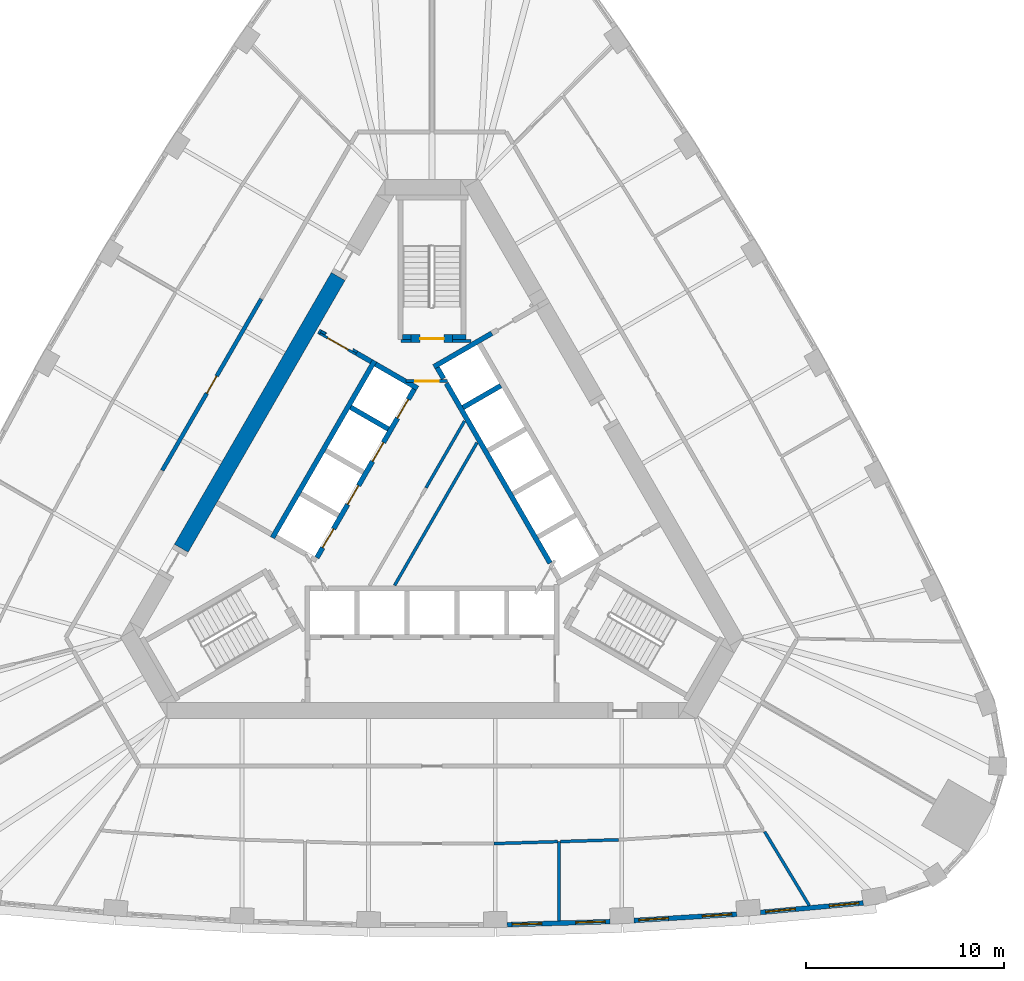
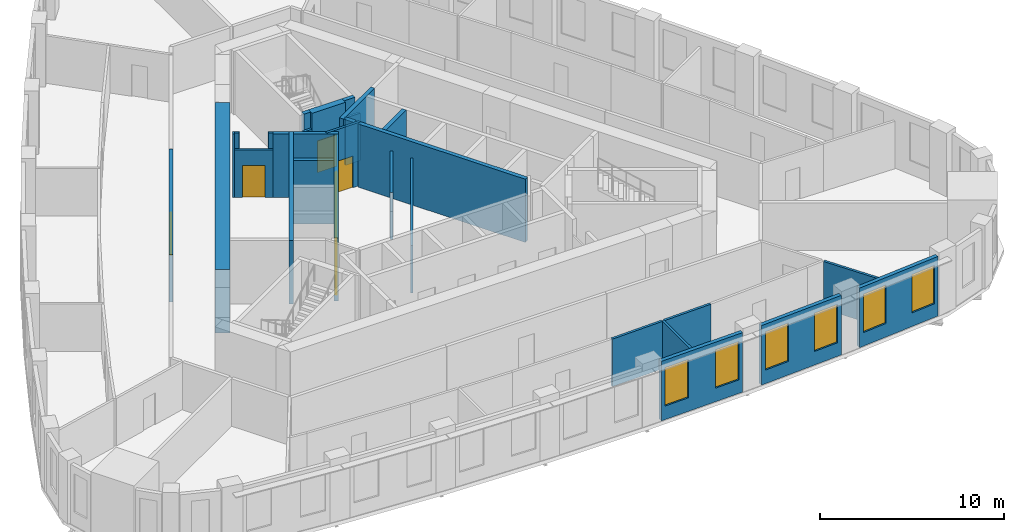
# One storey, part 5 of 10: 30 walls, 8 doors, 6 windows, 14 openings.
"""IFC4 building model written with IfcOpenShell, lengths in metres."""

from ifc_helpers import new_model, si_unit, direction, frame, frame_2d, origin, place, context, subcontext, project, spatial, polyline, rectangle, outline, extrude, material, layer, layer_set, type_object, element, fill, save


model = new_model("IFC4")

# Units and contexts
model_context = context("Model", 3, precision=1e-05, world=origin(), true_north=direction((0.0, 1.0)))
body_context = subcontext(model_context, "Body", "Model", "MODEL_VIEW")
ifc_project = project(units=[si_unit("LENGTHUNIT", "METRE"), si_unit("AREAUNIT", "SQUARE_METRE"), si_unit("VOLUMEUNIT", "CUBIC_METRE"), si_unit("PLANEANGLEUNIT", "RADIAN"), si_unit("MASSUNIT", "GRAM", prefix="KILO")], contexts=[model_context])

# Site, building, storey
site_placement = place(None, origin())
site = spatial("IfcSite", under=ifc_project, at=site_placement, CompositionType="ELEMENT")
building_placement = place(site_placement, origin())
building = spatial("IfcBuilding", under=site, at=building_placement, Name="Mestral Congress Tower", CompositionType="ELEMENT")
storey_placement = place(building_placement, frame((0.0, 0.0, 141.60009765625)))
storey = spatial("IfcBuildingStorey", under=building, at=storey_placement, Name="L33", CompositionType="ELEMENT", Elevation=141.60009765625)

# Walls
ifc_material_1 = material(Name="Fire-rated board partition")
ifc_layer_1 = layer(ifc_material_1, 0.14990234375)
ifc_layer_set_1 = layer_set([ifc_layer_1], Name="Fire-rated board partition")
wall_type_1 = type_object("IfcWallType", Name="Core partition 150", PredefinedType="PARTITIONING", material=ifc_layer_set_1)
wall_1_placement = place(storey_placement, frame((1.050048828125, 8.62548828125, 0.0), z_axis=(0.0, 0.0, 1.0), x_axis=(1.0, 0.0, 0.0)))
element("IfcWall", 1, at=wall_1_placement, inside=storey, type_object=wall_type_1, Name="L33 core wall", PredefinedType="PARTITIONING", context=body_context, shape_type="SweptSolid", body=[
    extrude(rectangle(XDim=0.9287109375, YDim=0.14990234375, at=frame_2d((0.46435546875, 0.0))), origin(), (0.0, 0.0, 1.0), 3.14990234375),
])
wall_2_placement = place(storey_placement, frame((-1.56396484375, 8.62548828125, 0.0), z_axis=(0.0, 0.0, 1.0), x_axis=(1.0, 0.0, 0.0)))
element("IfcWall", 2, at=wall_2_placement, inside=storey, type_object=wall_type_1, Name="L33 core wall", PredefinedType="PARTITIONING", context=body_context, shape_type="SweptSolid", body=[
    extrude(rectangle(XDim=0.513916015625, YDim=0.14990234375, at=frame_2d((0.2568359375, 0.0))), origin(), (0.0, 0.0, 1.0), 3.14990234375),
])
wall_3_placement = place(storey_placement, frame((-1.886962890625, -3.71826171875, 0.0), z_axis=(0.0, 0.0, 1.0), x_axis=(0.500005008002, 0.866022512394, 0.0)))
element("IfcWall", 3, at=wall_3_placement, inside=storey, type_object=wall_type_1, Name="L33 core wall", PredefinedType="PARTITIONING", context=body_context, shape_type="SweptSolid", body=[
    extrude(rectangle(XDim=8.3271484375, YDim=0.14990234375, at=frame_2d((4.16357421875, 0.0))), origin(), (0.0, 0.0, 1.0), 3.14990234375),
])
wall_4_placement = place(storey_placement, frame((-0.2998046875, 1.21240234375, 0.0), z_axis=(0.0, 0.0, 1.0), x_axis=(0.499963101113, 0.866046706318, 0.0)))
element("IfcWall", 4, at=wall_4_placement, inside=storey, type_object=wall_type_1, Name="L33 core wall", PredefinedType="PARTITIONING", context=body_context, shape_type="SweptSolid", body=[
    extrude(rectangle(XDim=3.893310546875, YDim=0.14990234375, at=frame_2d((1.94677734375, 0.0))), origin(), (0.0, 0.0, 1.0), 3.14990234375),
])

# Wall, opening, door
ifc_layer_2 = layer(ifc_material_1, 0.1201171875)
ifc_layer_set_2 = layer_set([ifc_layer_2], Name="Fire-rated board partition")
wall_type_2 = type_object("IfcWallType", Name="Core partition 150 door-wall 120", PredefinedType="PARTITIONING", material=ifc_layer_set_2)
wall_5_placement = place(storey_placement, frame((-5.65869140625, 9.01171875, 0.0), z_axis=(0.0, 0.0, 1.0), x_axis=(0.866009402589, -0.500027713859, 0.0)))
wall_5 = element("IfcWall", 5, at=wall_5_placement, inside=storey, type_object=wall_type_2, Name="L33 door wall", PredefinedType="PARTITIONING", context=body_context, shape_type="SweptSolid", body=[
    extrude(rectangle(XDim=2.10009765625, YDim=0.1201171875, at=frame_2d((1.050048828125, 0.0))), origin(), (0.0, 0.0, 1.0), 3.14990234375),
])
opening_1_placement = place(wall_5_placement, frame((0.449951171875, 0.0, 0.0)))
opening_1 = element("IfcOpeningElement", 6, at=opening_1_placement, cuts=wall_5, Name="Opening LB2-WL2", PredefinedType="OPENING", context=body_context, shape_type="SweptSolid", body=[
    extrude(rectangle(XDim=1.199951171875, YDim=2.10009765625, at=frame_2d((0.60009765625, 1.050048828125))), frame((0.0, 0.070068359375, 0.0), z_axis=(0.0, -1.0, 0.0), x_axis=(1.0, 0.0, 0.0)), (0.0, 0.0, 1.0), 0.14013671875),
])
ifc_material_2 = material(Name="Fire-rated steel door set", Category="steel")
door_type_1 = type_object("IfcDoorType", Name="Core door LB 1200x2100", OperationType="SINGLE_SWING_LEFT", PredefinedType="DOOR", material=ifc_material_2)
door_1_placement = place(opening_1_placement, origin())
door_1 = element("IfcDoor", 7, at=door_1_placement, inside=storey, type_object=door_type_1, Name="Door LB2-WL2", OperationType="SINGLE_SWING_LEFT", OverallHeight=2.10009765625, OverallWidth=1.199951171875, PredefinedType="DOOR", context=body_context, shape_type="SweptSolid", body=[
    extrude(rectangle(XDim=1.199951171875, YDim=2.10009765625, at=frame_2d((0.60009765625, 1.050048828125))), frame((0.0, 0.02490234375, 0.0), z_axis=(0.0, -1.0, 0.0), x_axis=(1.0, 0.0, 0.0)), (0.0, 0.0, 1.0), 0.050048828125),
])
fill(opening_1, door_1)

# Wall
ifc_material_3 = material(Name="Concrete C60/75", Category="concrete")
ifc_layer_3 = layer(ifc_material_3, 0.800048828125)
ifc_layer_set_3 = layer_set([ifc_layer_3], Name="Concrete C60/75")
wall_type_3 = type_object("IfcWallType", Name="Core wall RC 800", PredefinedType="SOLIDWALL", material=ifc_layer_set_3)
wall_6_placement = place(storey_placement, frame((-12.668212890625, -1.841796875, 0.0), z_axis=(0.0, 0.0, 1.0), x_axis=(0.500003640647, 0.866023301845, 0.0)))
element("IfcWall", 8, at=wall_6_placement, inside=storey, type_object=wall_type_3, Name="L33 core wall", PredefinedType="SOLIDWALL", context=body_context, shape_type="SweptSolid", body=[
    extrude(rectangle(XDim=15.8583984375, YDim=0.800048828125, at=frame_2d((7.92919921875, 0.0))), origin(), (0.0, 0.0, 1.0), 4.199951171875),
])

# Wall, openings, windows
ifc_material_4 = material(Name="Precast concrete C40/50 with limestone facing", Category="masonry")
ifc_layer_4 = layer(ifc_material_4, 0.239990234375)
ifc_layer_set_4 = layer_set([ifc_layer_4], Name="Precast concrete C40/50 with limestone facing")
wall_type_4 = type_object("IfcWallType", Name="Facade stone wall 240", PredefinedType="SOLIDWALL", material=ifc_layer_set_4)
wall_7_placement = place(storey_placement, frame((3.80615234375, -20.869873046875, 0.0), z_axis=(0.0, 0.0, 1.0), x_axis=(0.999533441983, 0.030543384845, 0.0)))
wall_7 = element("IfcWall", 9, at=wall_7_placement, inside=storey, type_object=wall_type_4, Name="Facade wall F0-04", PredefinedType="SOLIDWALL", context=body_context, shape_type="SweptSolid", body=[
    extrude(rectangle(XDim=5.20361328125, YDim=0.239990234375, at=frame_2d((2.601806640625, 0.0))), origin(), (0.0, 0.0, 1.0), 3.949951171875),
])
opening_2_placement = place(wall_7_placement, frame((0.248291015625, 0.0, 0.89990234375)))
opening_2 = element("IfcOpeningElement", 10, at=opening_2_placement, cuts=wall_7, Name="Opening W4", PredefinedType="OPENING", context=body_context, shape_type="SweptSolid", body=[
    extrude(rectangle(XDim=1.5, YDim=2.550048828125, at=frame_2d((0.75, 1.27490234375))), frame((0.0, 0.1298828125, 0.0), z_axis=(0.0, -1.0, 0.0), x_axis=(1.0, 0.0, 0.0)), (0.0, 0.0, 1.0), 0.260009765625),
])
opening_3_placement = place(wall_7_placement, frame((3.455078125, 0.0, 0.89990234375)))
opening_3 = element("IfcOpeningElement", 11, at=opening_3_placement, cuts=wall_7, Name="Opening W4", PredefinedType="OPENING", context=body_context, shape_type="SweptSolid", body=[
    extrude(rectangle(XDim=1.5, YDim=2.550048828125, at=frame_2d((0.75, 1.27490234375))), frame((0.0, 0.1298828125, 0.0), z_axis=(0.0, -1.0, 0.0), x_axis=(1.0, 0.0, 0.0)), (0.0, 0.0, 1.0), 0.260009765625),
])
ifc_material_5 = material(Name="Clear low-emissivity double glazing", Category="glass")
window_type = type_object("IfcWindowType", Name="Facade punched window 1500 x 2550 sill 900", PartitioningType="SINGLE_PANEL", PredefinedType="WINDOW", material=ifc_material_5)
window_1_placement = place(opening_2_placement, origin())
window_1 = element("IfcWindow", 12, at=window_1_placement, inside=storey, type_object=window_type, Name="Window F0-04a", OverallHeight=2.550048828125, OverallWidth=1.5, PartitioningType="SINGLE_PANEL", PredefinedType="WINDOW", context=body_context, shape_type="SweptSolid", body=[
    extrude(rectangle(XDim=1.5, YDim=2.550048828125, at=frame_2d((0.75, 1.27490234375))), frame((0.0, 0.0400390625, 0.0), z_axis=(0.0, -1.0, 0.0), x_axis=(1.0, 0.0, 0.0)), (0.0, 0.0, 1.0), 0.06005859375),
])
fill(opening_2, window_1)
window_2_placement = place(opening_3_placement, origin())
window_2 = element("IfcWindow", 13, at=window_2_placement, inside=storey, type_object=window_type, Name="Window F0-04b", OverallHeight=2.550048828125, OverallWidth=1.5, PartitioningType="SINGLE_PANEL", PredefinedType="WINDOW", context=body_context, shape_type="SweptSolid", body=[
    extrude(rectangle(XDim=1.5, YDim=2.550048828125, at=frame_2d((0.75, 1.27490234375))), frame((0.0, 0.0400390625, 0.0), z_axis=(0.0, -1.0, 0.0), x_axis=(1.0, 0.0, 0.0)), (0.0, 0.0, 1.0), 0.06005859375),
])
fill(opening_3, window_2)

wall_8_placement = place(storey_placement, frame((10.210693359375, -20.656005859375, 0.0), z_axis=(0.0, 0.0, 1.0), x_axis=(0.998135294646, 0.061040425794, 0.0)))
wall_8 = element("IfcWall", 14, at=wall_8_placement, inside=storey, type_object=wall_type_4, Name="Facade wall F0-05", PredefinedType="SOLIDWALL", context=body_context, shape_type="SweptSolid", body=[
    extrude(rectangle(XDim=5.20361328125, YDim=0.239990234375, at=frame_2d((2.601806640625, 0.0))), origin(), (0.0, 0.0, 1.0), 3.949951171875),
])
opening_4_placement = place(wall_8_placement, frame((0.248291015625, 0.0, 0.89990234375)))
opening_4 = element("IfcOpeningElement", 15, at=opening_4_placement, cuts=wall_8, Name="Opening W4", PredefinedType="OPENING", context=body_context, shape_type="SweptSolid", body=[
    extrude(rectangle(XDim=1.5, YDim=2.550048828125, at=frame_2d((0.75, 1.27490234375))), frame((0.0, 0.1298828125, 0.0), z_axis=(0.0, -1.0, 0.0), x_axis=(1.0, 0.0, 0.0)), (0.0, 0.0, 1.0), 0.260009765625),
])
opening_5_placement = place(wall_8_placement, frame((3.455078125, 0.0, 0.89990234375)))
opening_5 = element("IfcOpeningElement", 16, at=opening_5_placement, cuts=wall_8, Name="Opening W4", PredefinedType="OPENING", context=body_context, shape_type="SweptSolid", body=[
    extrude(rectangle(XDim=1.5, YDim=2.550048828125, at=frame_2d((0.75, 1.27490234375))), frame((0.0, 0.1298828125, 0.0), z_axis=(0.0, -1.0, 0.0), x_axis=(1.0, 0.0, 0.0)), (0.0, 0.0, 1.0), 0.260009765625),
])
window_3_placement = place(opening_4_placement, origin())
window_3 = element("IfcWindow", 17, at=window_3_placement, inside=storey, type_object=window_type, Name="Window F0-05a", OverallHeight=2.550048828125, OverallWidth=1.5, PartitioningType="SINGLE_PANEL", PredefinedType="WINDOW", context=body_context, shape_type="SweptSolid", body=[
    extrude(rectangle(XDim=1.5, YDim=2.550048828125, at=frame_2d((0.75, 1.27490234375))), frame((0.0, 0.0400390625, 0.0), z_axis=(0.0, -1.0, 0.0), x_axis=(1.0, 0.0, 0.0)), (0.0, 0.0, 1.0), 0.06005859375),
])
fill(opening_4, window_3)
window_4_placement = place(opening_5_placement, origin())
window_4 = element("IfcWindow", 18, at=window_4_placement, inside=storey, type_object=window_type, Name="Window F0-05b", OverallHeight=2.550048828125, OverallWidth=1.5, PartitioningType="SINGLE_PANEL", PredefinedType="WINDOW", context=body_context, shape_type="SweptSolid", body=[
    extrude(rectangle(XDim=1.5, YDim=2.550048828125, at=frame_2d((0.75, 1.27490234375))), frame((0.0, 0.0400390625, 0.0), z_axis=(0.0, -1.0, 0.0), x_axis=(1.0, 0.0, 0.0)), (0.0, 0.0, 1.0), 0.06005859375),
])
fill(opening_5, window_4)

wall_9_placement = place(storey_placement, frame((16.605712890625, -20.24658203125, 0.0), z_axis=(0.0, 0.0, 1.0), x_axis=(0.995808712151, 0.091460422067, 0.0)))
wall_9 = element("IfcWall", 19, at=wall_9_placement, inside=storey, type_object=wall_type_4, Name="Facade wall F0-06", PredefinedType="SOLIDWALL", context=body_context, shape_type="SweptSolid", body=[
    extrude(rectangle(XDim=5.213134765625, YDim=0.239990234375, at=frame_2d((2.6064453125, 0.0))), origin(), (0.0, 0.0, 1.0), 3.949951171875),
])
opening_6_placement = place(wall_9_placement, frame((0.2607421875, 0.0, 0.89990234375)))
opening_6 = element("IfcOpeningElement", 20, at=opening_6_placement, cuts=wall_9, Name="Opening W4", PredefinedType="OPENING", context=body_context, shape_type="SweptSolid", body=[
    extrude(rectangle(XDim=1.5, YDim=2.550048828125, at=frame_2d((0.75, 1.27490234375))), frame((0.0, 0.1298828125, 0.0), z_axis=(0.0, -1.0, 0.0), x_axis=(1.0, 0.0, 0.0)), (0.0, 0.0, 1.0), 0.260009765625),
])
opening_7_placement = place(wall_9_placement, frame((3.492431640625, 0.0, 0.89990234375)))
opening_7 = element("IfcOpeningElement", 21, at=opening_7_placement, cuts=wall_9, Name="Opening W4", PredefinedType="OPENING", context=body_context, shape_type="SweptSolid", body=[
    extrude(rectangle(XDim=1.5, YDim=2.550048828125, at=frame_2d((0.75, 1.27490234375))), frame((0.0, 0.1298828125, 0.0), z_axis=(0.0, -1.0, 0.0), x_axis=(1.0, 0.0, 0.0)), (0.0, 0.0, 1.0), 0.260009765625),
])
window_5_placement = place(opening_6_placement, origin())
window_5 = element("IfcWindow", 22, at=window_5_placement, inside=storey, type_object=window_type, Name="Window F0-06a", OverallHeight=2.550048828125, OverallWidth=1.5, PartitioningType="SINGLE_PANEL", PredefinedType="WINDOW", context=body_context, shape_type="SweptSolid", body=[
    extrude(rectangle(XDim=1.5, YDim=2.550048828125, at=frame_2d((0.75, 1.27490234375))), frame((0.0, 0.0400390625, 0.0), z_axis=(0.0, -1.0, 0.0), x_axis=(1.0, 0.0, 0.0)), (0.0, 0.0, 1.0), 0.06005859375),
])
fill(opening_6, window_5)
window_6_placement = place(opening_7_placement, origin())
window_6 = element("IfcWindow", 23, at=window_6_placement, inside=storey, type_object=window_type, Name="Window F0-06b", OverallHeight=2.550048828125, OverallWidth=1.5, PartitioningType="SINGLE_PANEL", PredefinedType="WINDOW", context=body_context, shape_type="SweptSolid", body=[
    extrude(rectangle(XDim=1.5, YDim=2.550048828125, at=frame_2d((0.75, 1.27490234375))), frame((0.0, 0.0400390625, 0.0), z_axis=(0.0, -1.0, 0.0), x_axis=(1.0, 0.0, 0.0)), (0.0, 0.0, 1.0), 0.06005859375),
])
fill(opening_7, window_6)

# Walls
ifc_material_6 = material(Name="Plasterboard partition on steel studs", Category="steel")
ifc_layer_5 = layer(ifc_material_6, 0.14990234375)
ifc_layer_set_5 = layer_set([ifc_layer_5], Name="Plasterboard partition on steel studs")
wall_type_5 = type_object("IfcWallType", Name="Office partition 150", PredefinedType="PARTITIONING", material=ifc_layer_set_5)
wall_10_placement = place(storey_placement, frame((6.412109375, -16.668212890625, 0.0), z_axis=(0.0, 0.0, 1.0), x_axis=(0.0, -1.0, 0.0)))
element("IfcWall", 24, at=wall_10_placement, inside=storey, type_object=wall_type_5, Name="Partition", PredefinedType="PARTITIONING", context=body_context, shape_type="SweptSolid", body=[
    extrude(rectangle(XDim=4.001953125, YDim=0.14990234375, at=frame_2d((2.0009765625, 0.0))), origin(), (0.0, 0.0, 1.0), 3.14990234375),
])
wall_11_placement = place(storey_placement, frame((3.141357421875, -16.768310546875, 0.0), z_axis=(0.0, 0.0, 1.0), x_axis=(0.999533369646, 0.030545751995, 0.0)))
element("IfcWall", 25, at=wall_11_placement, inside=storey, type_object=wall_type_5, Name="Partition", PredefinedType="PARTITIONING", context=body_context, shape_type="SweptSolid", body=[
    extrude(rectangle(XDim=3.197021484375, YDim=0.14990234375, at=frame_2d((1.5986328125, 0.0))), origin(), (0.0, 0.0, 1.0), 3.14990234375),
])
wall_12_placement = place(storey_placement, frame((6.487060546875, -16.666015625, 0.0), z_axis=(0.0, 0.0, 1.0), x_axis=(0.999533978083, 0.030525835896, 0.0)))
element("IfcWall", 26, at=wall_12_placement, inside=storey, type_object=wall_type_5, Name="Partition", PredefinedType="PARTITIONING", context=body_context, shape_type="SweptSolid", body=[
    extrude(rectangle(XDim=2.935302734375, YDim=0.14990234375, at=frame_2d((1.4677734375, 0.0))), origin(), (0.0, 0.0, 1.0), 3.14990234375),
])
wall_13_placement = place(storey_placement, frame((16.81591796875, -16.165283203125, 0.0), z_axis=(0.0, 0.0, 1.0), x_axis=(0.516814925326, -0.85609715159, 0.0)))
element("IfcWall", 27, at=wall_13_placement, inside=storey, type_object=wall_type_5, Name="Partition", PredefinedType="PARTITIONING", context=body_context, shape_type="SweptSolid", body=[
    extrude(rectangle(XDim=4.362060546875, YDim=0.14990234375, at=frame_2d((2.18115234375, 0.0))), origin(), (0.0, 0.0, 1.0), 3.14990234375),
])

# Wall, opening, door
ifc_material_7 = material(Name="Dense masonry wall, plastered", Category="masonry")
ifc_layer_6 = layer(ifc_material_7, 0.199951171875)
ifc_layer_set_6 = layer_set([ifc_layer_6], Name="Dense masonry wall, plastered")
wall_type_6 = type_object("IfcWallType", Name="Office tenancy wall 200", PredefinedType="PARTITIONING", material=ifc_layer_set_6)
wall_14_placement = place(storey_placement, frame((-8.62841796875, 10.755126953125, 0.0), z_axis=(0.0, 0.0, 1.0), x_axis=(-0.500004234368, -0.866022959057, 0.0)))
wall_14 = element("IfcWall", 28, at=wall_14_placement, inside=storey, type_object=wall_type_6, Name="Tenancy wall", PredefinedType="PARTITIONING", context=body_context, shape_type="SweptSolid", body=[
    extrude(rectangle(XDim=10.0, YDim=0.199951171875, at=frame_2d((5.0, 0.0))), origin(), (0.0, 0.0, 1.0), 3.14990234375),
])
opening_8_placement = place(wall_14_placement, frame((4.5, 0.0, 0.0)))
opening_8 = element("IfcOpeningElement", 29, at=opening_8_placement, cuts=wall_14, Name="Opening O01-017", PredefinedType="OPENING", context=body_context, shape_type="SweptSolid", body=[
    extrude(rectangle(XDim=1.0, YDim=2.10009765625, at=frame_2d((0.5, 1.050048828125))), frame((0.0, 0.10986328125, 0.0), z_axis=(0.0, -1.0, 0.0), x_axis=(1.0, 0.0, 0.0)), (0.0, 0.0, 1.0), 0.219970703125),
])
ifc_material_8 = material(Name="Fire-rated timber door set", Category="wood")
door_type_2 = type_object("IfcDoorType", Name="Office tenancy entrance door 1000x2100", OperationType="SINGLE_SWING_LEFT", PredefinedType="DOOR", material=ifc_material_8)
door_2_placement = place(opening_8_placement, origin())
door_2 = element("IfcDoor", 30, at=door_2_placement, inside=storey, type_object=door_type_2, Name="Door O01-017", OperationType="SINGLE_SWING_LEFT", OverallHeight=2.10009765625, OverallWidth=1.0, PredefinedType="DOOR", context=body_context, shape_type="SweptSolid", body=[
    extrude(rectangle(XDim=1.0, YDim=2.10009765625, at=frame_2d((0.5, 1.050048828125))), frame((0.0, 0.02490234375, 0.0), z_axis=(0.0, -1.0, 0.0), x_axis=(1.0, 0.0, 0.0)), (0.0, 0.0, 1.0), 0.050048828125),
])
fill(opening_8, door_2)

# Walls
ifc_layer_7 = layer(ifc_material_3, 0.25)
ifc_layer_set_7 = layer_set([ifc_layer_7], Name="Concrete C60/75")
wall_type_7 = type_object("IfcWallType", Name="Shaft wall RC 250", PredefinedType="SOLIDWALL", material=ifc_layer_set_7)
wall_15_placement = place(storey_placement, frame((3.02783203125, 9.022705078125, 0.0), z_axis=(0.0, 0.0, 1.0), x_axis=(-0.866036587186, -0.49998062928, 0.0)))
element("IfcWall", 31, at=wall_15_placement, inside=storey, type_object=wall_type_7, Name="L33 core wall", PredefinedType="SOLIDWALL", context=body_context, shape_type="SweptSolid", body=[
    extrude(rectangle(XDim=3.383544921875, YDim=0.25, at=frame_2d((1.69189453125, 0.0))), origin(), (0.0, 0.0, 1.0), 4.199951171875),
])
wall_16_placement = place(storey_placement, frame((0.268310546875, 7.28515625, 0.0), z_axis=(0.0, 0.0, 1.0), x_axis=(0.500098681536, -0.865968422476, 0.0)))
element("IfcWall", 32, at=wall_16_placement, inside=storey, type_object=wall_type_7, Name="L33 core wall", PredefinedType="SOLIDWALL", context=body_context, shape_type="SweptSolid", body=[
    extrude(rectangle(XDim=0.636474609375, YDim=0.25, at=frame_2d((0.318359375, 0.0))), origin(), (0.0, 0.0, 1.0), 4.199951171875),
])
wall_17_placement = place(storey_placement, frame((5.970458984375, -2.591064453125, 0.0), z_axis=(0.0, 0.0, 1.0), x_axis=(-0.499994469932, 0.866028596547, 0.0)))
element("IfcWall", 33, at=wall_17_placement, inside=storey, type_object=wall_type_7, Name="L33 core wall", PredefinedType="SOLIDWALL", context=body_context, shape_type="SweptSolid", body=[
    extrude(rectangle(XDim=10.48828125, YDim=0.25, at=frame_2d((5.244140625, 0.0))), origin(), (0.0, 0.0, 1.0), 4.199951171875),
])
wall_18_placement = place(storey_placement, frame((1.57421875, 5.273681640625, 0.0), z_axis=(0.0, 0.0, 1.0), x_axis=(0.866028486751, 0.499994660107, 0.0)))
element("IfcWall", 34, at=wall_18_placement, inside=storey, type_object=wall_type_7, Name="L33 core wall", PredefinedType="SOLIDWALL", context=body_context, shape_type="SweptSolid", body=[
    extrude(rectangle(XDim=2.19970703125, YDim=0.25, at=frame_2d((1.099853515625, 0.0))), origin(), (0.0, 0.0, 1.0), 4.199951171875),
])
wall_19_placement = place(storey_placement, frame((-8.06005859375, -1.310546875, 0.0), z_axis=(0.0, 0.0, 1.0), x_axis=(0.50000273126, 0.866023826885, 0.0)))
element("IfcWall", 35, at=wall_19_placement, inside=storey, type_object=wall_type_7, Name="L33 core wall", PredefinedType="SOLIDWALL", context=body_context, shape_type="SweptSolid", body=[
    extrude(rectangle(XDim=10.330078125, YDim=0.25, at=frame_2d((5.1650390625, 0.0))), origin(), (0.0, 0.0, 1.0), 4.199951171875),
])
placement = place(storey_placement, origin())
element("IfcWall", 36, at=placement, inside=storey, type_object=wall_type_7, Name="L33 core wall", PredefinedType="SOLIDWALL", context=body_context, shape_type="SweptSolid", body=[
    extrude(outline(polyline([(-2.911865234375, 7.3564453125), (-2.786865234375, 7.572998046875), (-1.231689453125, 6.675048828125), (-1.303466796875, 6.675048828125), (-1.3037109375, 6.675048828125), (-1.3037109375, 6.675048828125), (-1.3037109375, 6.52490234375), (-1.3037109375, 6.52490234375), (-1.303466796875, 6.52490234375), (-0.971435546875, 6.52490234375), (-0.6650390625, 6.347900390625), (-0.7900390625, 6.131591796875), (-1.006591796875, 6.256591796875), (-1.006591796875, 6.256591796875), (-2.911865234375, 7.3564453125)])), origin(), (0.0, 0.0, 1.0), 4.199951171875),
])
wall_21_placement = place(storey_placement, frame((-2.2041015625, 4.182373046875, 0.0), z_axis=(0.0, 0.0, 1.0), x_axis=(-0.866008176907, 0.50002983664, 0.0)))
element("IfcWall", 37, at=wall_21_placement, inside=storey, type_object=wall_type_7, Name="L33 core wall", PredefinedType="SOLIDWALL", context=body_context, shape_type="SweptSolid", body=[
    extrude(rectangle(XDim=2.199951171875, YDim=0.25, at=frame_2d((1.10009765625, 0.0))), origin(), (0.0, 0.0, 1.0), 4.199951171875),
])
wall_22_placement = place(storey_placement, frame((-5.724609375, 9.124755859375, 0.0), z_axis=(0.0, 0.0, 1.0), x_axis=(0.866185586049, -0.49972245349, 0.0)))
element("IfcWall", 38, at=wall_22_placement, inside=storey, type_object=wall_type_7, Name="L33 core wall", PredefinedType="SOLIDWALL", context=body_context, shape_type="SweptSolid", body=[
    extrude(rectangle(XDim=0.10986328125, YDim=0.25, at=frame_2d((0.054931640625, 0.0))), origin(), (0.0, 0.0, 1.0), 4.199951171875),
])
wall_23_placement = place(storey_placement, frame((-3.06591796875, 7.58984375, 0.0), z_axis=(0.0, 0.0, 1.0), x_axis=(-0.866081358704, 0.49990307071, 0.0)))
element("IfcWall", 39, at=wall_23_placement, inside=storey, type_object=wall_type_7, Name="L33 core wall", PredefinedType="SOLIDWALL", context=body_context, shape_type="SweptSolid", body=[
    extrude(rectangle(XDim=0.858154296875, YDim=0.25, at=frame_2d((0.42919921875, 0.0))), origin(), (0.0, 0.0, 1.0), 4.199951171875),
])
element("IfcWall", 40, at=placement, inside=storey, type_object=wall_type_7, Name="L33 core wall", PredefinedType="SOLIDWALL", context=body_context, shape_type="SweptSolid", body=[
    extrude(outline(polyline([(-3.748291015625, 8.1279296875), (-3.813232421875, 8.015380859375), (-4.026611328125, 8.138671875), (-4.0166015625, 8.156005859375), (-4.007568359375, 8.17333984375), (-4.000244140625, 8.191650390625), (-3.994873046875, 8.21044921875), (-3.991455078125, 8.229736328125), (-3.98974609375, 8.24951171875), (-3.989990234375, 8.267578125), (-3.748291015625, 8.1279296875)])), origin(), (0.0, 0.0, 1.0), 4.199951171875),
])
element("IfcWall", 41, at=placement, inside=storey, type_object=wall_type_7, Name="L33 core wall", PredefinedType="SOLIDWALL", context=body_context, shape_type="SweptSolid", body=[
    extrude(outline(polyline([(-5.688720703125, 8.959716796875), (-5.690185546875, 8.960693359375), (-5.565185546875, 9.177001953125), (-5.318603515625, 9.03466796875), (-5.334716796875, 9.02587890625), (-5.3505859375, 9.0146484375), (-5.36572265625, 9.001953125), (-5.37939453125, 8.98779296875), (-5.3916015625, 8.972412109375), (-5.402099609375, 8.955810546875), (-5.412109375, 8.938720703125), (-5.628662109375, 9.063720703125), (-5.628662109375, 9.063720703125), (-5.688720703125, 8.959716796875)])), origin(), (0.0, 0.0, 1.0), 4.199951171875),
])

# Wall, openings, doors
wall_26_placement = place(storey_placement, frame((-0.898193359375, 6.194091796875, 0.0), z_axis=(0.0, 0.0, 1.0), x_axis=(-0.499996202215, -0.866027596426, 0.0)))
wall_26 = element("IfcWall", 42, at=wall_26_placement, inside=storey, type_object=wall_type_7, Name="L33 door wall", PredefinedType="SOLIDWALL", context=body_context, shape_type="SweptSolid", body=[
    extrude(rectangle(XDim=9.830078125, YDim=0.25, at=frame_2d((4.9150390625, 0.0))), origin(), (0.0, 0.0, 1.0), 4.199951171875),
])
opening_9_placement = place(wall_26_placement, frame((0.5849609375, 0.0, 0.0)))
opening_9 = element("IfcOpeningElement", 43, at=opening_9_placement, cuts=wall_26, Name="Opening LD-NWB1", PredefinedType="OPENING", context=body_context, shape_type="SweptSolid", body=[
    extrude(rectangle(XDim=1.10009765625, YDim=2.10009765625, at=frame_2d((0.550048828125, 1.050048828125))), frame((0.0, 0.135009765625, 0.0), z_axis=(0.0, -1.0, 0.0), x_axis=(1.0, 0.0, 0.0)), (0.0, 0.0, 1.0), 0.27001953125),
])
opening_10_placement = place(wall_26_placement, frame((3.10498046875, 0.0, 0.0)))
opening_10 = element("IfcOpeningElement", 44, at=opening_10_placement, cuts=wall_26, Name="Opening LD-NWB2", PredefinedType="OPENING", context=body_context, shape_type="SweptSolid", body=[
    extrude(rectangle(XDim=1.10009765625, YDim=2.10009765625, at=frame_2d((0.550048828125, 1.050048828125))), frame((0.0, 0.135009765625, 0.0), z_axis=(0.0, -1.0, 0.0), x_axis=(1.0, 0.0, 0.0)), (0.0, 0.0, 1.0), 0.27001953125),
])
opening_11_placement = place(wall_26_placement, frame((5.625, 0.0, 0.0)))
opening_11 = element("IfcOpeningElement", 45, at=opening_11_placement, cuts=wall_26, Name="Opening LD-NWB3", PredefinedType="OPENING", context=body_context, shape_type="SweptSolid", body=[
    extrude(rectangle(XDim=1.10009765625, YDim=2.10009765625, at=frame_2d((0.550048828125, 1.050048828125))), frame((0.0, 0.135009765625, 0.0), z_axis=(0.0, -1.0, 0.0), x_axis=(1.0, 0.0, 0.0)), (0.0, 0.0, 1.0), 0.27001953125),
])
opening_12_placement = place(wall_26_placement, frame((8.14501953125, 0.0, 0.0)))
opening_12 = element("IfcOpeningElement", 46, at=opening_12_placement, cuts=wall_26, Name="Opening LD-NWB4", PredefinedType="OPENING", context=body_context, shape_type="SweptSolid", body=[
    extrude(rectangle(XDim=1.10009765625, YDim=2.10009765625, at=frame_2d((0.550048828125, 1.050048828125))), frame((0.0, 0.135009765625, 0.0), z_axis=(0.0, -1.0, 0.0), x_axis=(1.0, 0.0, 0.0)), (0.0, 0.0, 1.0), 0.27001953125),
])
door_type_3 = type_object("IfcDoorType", Name="Core door LD 1100x2100", OperationType="DOUBLE_DOOR_SLIDING", PredefinedType="DOOR", material=ifc_material_2)
door_3_placement = place(opening_9_placement, origin())
door_3 = element("IfcDoor", 47, at=door_3_placement, inside=storey, type_object=door_type_3, Name="Door LD-NWB1", OperationType="DOUBLE_DOOR_SLIDING", OverallHeight=2.10009765625, OverallWidth=1.10009765625, PredefinedType="DOOR", context=body_context, shape_type="SweptSolid", body=[
    extrude(rectangle(XDim=1.10009765625, YDim=2.10009765625, at=frame_2d((0.550048828125, 1.050048828125))), frame((0.0, 0.02490234375, 0.0), z_axis=(0.0, -1.0, 0.0), x_axis=(1.0, 0.0, 0.0)), (0.0, 0.0, 1.0), 0.050048828125),
])
fill(opening_9, door_3)
door_4_placement = place(opening_10_placement, origin())
door_4 = element("IfcDoor", 48, at=door_4_placement, inside=storey, type_object=door_type_3, Name="Door LD-NWB2", OperationType="DOUBLE_DOOR_SLIDING", OverallHeight=2.10009765625, OverallWidth=1.10009765625, PredefinedType="DOOR", context=body_context, shape_type="SweptSolid", body=[
    extrude(rectangle(XDim=1.10009765625, YDim=2.10009765625, at=frame_2d((0.550048828125, 1.050048828125))), frame((0.0, 0.02490234375, 0.0), z_axis=(0.0, -1.0, 0.0), x_axis=(1.0, 0.0, 0.0)), (0.0, 0.0, 1.0), 0.050048828125),
])
fill(opening_10, door_4)
door_5_placement = place(opening_11_placement, origin())
door_5 = element("IfcDoor", 49, at=door_5_placement, inside=storey, type_object=door_type_3, Name="Door LD-NWB3", OperationType="DOUBLE_DOOR_SLIDING", OverallHeight=2.10009765625, OverallWidth=1.10009765625, PredefinedType="DOOR", context=body_context, shape_type="SweptSolid", body=[
    extrude(rectangle(XDim=1.10009765625, YDim=2.10009765625, at=frame_2d((0.550048828125, 1.050048828125))), frame((0.0, 0.02490234375, 0.0), z_axis=(0.0, -1.0, 0.0), x_axis=(1.0, 0.0, 0.0)), (0.0, 0.0, 1.0), 0.050048828125),
])
fill(opening_11, door_5)
door_6_placement = place(opening_12_placement, origin())
door_6 = element("IfcDoor", 50, at=door_6_placement, inside=storey, type_object=door_type_3, Name="Door LD-NWB4", OperationType="DOUBLE_DOOR_SLIDING", OverallHeight=2.10009765625, OverallWidth=1.10009765625, PredefinedType="DOOR", context=body_context, shape_type="SweptSolid", body=[
    extrude(rectangle(XDim=1.10009765625, YDim=2.10009765625, at=frame_2d((0.550048828125, 1.050048828125))), frame((0.0, 0.02490234375, 0.0), z_axis=(0.0, -1.0, 0.0), x_axis=(1.0, 0.0, 0.0)), (0.0, 0.0, 1.0), 0.050048828125),
])
fill(opening_12, door_6)

# Wall, opening, door
ifc_layer_8 = layer(ifc_material_3, 0.14990234375)
ifc_layer_set_8 = layer_set([ifc_layer_8], Name="Concrete C60/75")
wall_type_8 = type_object("IfcWallType", Name="Shaft wall RC 250 door-wall 150", PredefinedType="SOLIDWALL", material=ifc_layer_set_8)
wall_27_placement = place(storey_placement, frame((-1.303466796875, 6.60009765625, 0.0), z_axis=(0.0, 0.0, 1.0), x_axis=(1.0, 0.0, 0.0)))
wall_27 = element("IfcWall", 51, at=wall_27_placement, inside=storey, type_object=wall_type_8, Name="L33 door wall", PredefinedType="PARTITIONING", context=body_context, shape_type="SweptSolid", body=[
    extrude(rectangle(XDim=2.099853515625, YDim=0.14990234375, at=frame_2d((1.0498046875, 0.0))), origin(), (0.0, 0.0, 1.0), 4.199951171875),
])
opening_13_placement = place(wall_27_placement, frame((0.449951171875, 0.0, 0.0)))
opening_13 = element("IfcOpeningElement", 52, at=opening_13_placement, cuts=wall_27, Name="Opening CD2-FF", PredefinedType="OPENING", context=body_context, shape_type="SweptSolid", body=[
    extrude(rectangle(XDim=1.199951171875, YDim=2.10009765625, at=frame_2d((0.60009765625, 1.050048828125))), frame((0.0, 0.0849609375, 0.0), z_axis=(0.0, -1.0, 0.0), x_axis=(1.0, 0.0, 0.0)), (0.0, 0.0, 1.0), 0.169921875),
])
door_type_4 = type_object("IfcDoorType", Name="Core door CD 1200x2100", OperationType="SINGLE_SWING_LEFT", PredefinedType="DOOR", material=ifc_material_2)
door_7_placement = place(opening_13_placement, origin())
door_7 = element("IfcDoor", 53, at=door_7_placement, inside=storey, type_object=door_type_4, Name="Door CD2-FF", OperationType="SINGLE_SWING_LEFT", OverallHeight=2.10009765625, OverallWidth=1.199951171875, PredefinedType="DOOR", context=body_context, shape_type="SweptSolid", body=[
    extrude(rectangle(XDim=1.199951171875, YDim=2.10009765625, at=frame_2d((0.60009765625, 1.050048828125))), frame((0.0, 0.02490234375, 0.0), z_axis=(0.0, -1.0, 0.0), x_axis=(1.0, 0.0, 0.0)), (0.0, 0.0, 1.0), 0.050048828125),
])
fill(opening_13, door_7)

# Walls
ifc_layer_9 = layer(ifc_material_3, 0.25)
ifc_layer_set_9 = layer_set([ifc_layer_9], Name="Concrete C60/75")
wall_type_9 = type_object("IfcWallType", Name="Stair wall RC 250", PredefinedType="SOLIDWALL", material=ifc_layer_set_9)
wall_28_placement = place(storey_placement, frame((1.050048828125, 8.824951171875, 0.0), z_axis=(0.0, 0.0, 1.0), x_axis=(1.0, 0.0, 0.0)))
element("IfcWall", 54, at=wall_28_placement, inside=storey, type_object=wall_type_9, Name="L33 core wall", PredefinedType="SOLIDWALL", context=body_context, shape_type="SweptSolid", body=[
    extrude(rectangle(XDim=0.675048828125, YDim=0.25, at=frame_2d((0.33740234375, 0.0))), origin(), (0.0, 0.0, 1.0), 4.199951171875),
])
wall_29_placement = place(storey_placement, frame((-1.47509765625, 8.824951171875, 0.0), z_axis=(0.0, 0.0, 1.0), x_axis=(1.0, 0.0, 0.0)))
element("IfcWall", 55, at=wall_29_placement, inside=storey, type_object=wall_type_9, Name="L33 core wall", PredefinedType="SOLIDWALL", context=body_context, shape_type="SweptSolid", body=[
    extrude(rectangle(XDim=0.425048828125, YDim=0.25, at=frame_2d((0.21240234375, 0.0))), origin(), (0.0, 0.0, 1.0), 4.199951171875),
])

# Wall, opening, door
ifc_layer_10 = layer(ifc_material_3, 0.39990234375)
ifc_layer_set_10 = layer_set([ifc_layer_10], Name="Concrete C60/75")
wall_type_10 = type_object("IfcWallType", Name="Stair wall RC 250 door-wall 400", PredefinedType="SOLIDWALL", material=ifc_layer_set_10)
wall_30_placement = place(storey_placement, frame((1.050048828125, 8.75, 0.0), z_axis=(0.0, 0.0, 1.0), x_axis=(-1.0, 0.0, 0.0)))
wall_30 = element("IfcWall", 56, at=wall_30_placement, inside=storey, type_object=wall_type_10, Name="L33 door wall", PredefinedType="SOLIDWALL", context=body_context, shape_type="SweptSolid", body=[
    extrude(rectangle(XDim=2.10009765625, YDim=0.39990234375, at=frame_2d((1.050048828125, 0.0))), origin(), (0.0, 0.0, 1.0), 4.199951171875),
])
opening_14_placement = place(wall_30_placement, frame((0.449951171875, 0.0, 0.0)))
opening_14 = element("IfcOpeningElement", 57, at=opening_14_placement, cuts=wall_30, Name="Opening ST-D2", PredefinedType="OPENING", context=body_context, shape_type="SweptSolid", body=[
    extrude(rectangle(XDim=1.199951171875, YDim=2.10009765625, at=frame_2d((0.60009765625, 1.050048828125))), frame((0.0, 0.2099609375, 0.0), z_axis=(0.0, -1.0, 0.0), x_axis=(1.0, 0.0, 0.0)), (0.0, 0.0, 1.0), 0.419921875),
])
door_type_5 = type_object("IfcDoorType", Name="Core door ST 1200x2100", OperationType="SINGLE_SWING_LEFT", PredefinedType="DOOR", material=ifc_material_2)
door_8_placement = place(opening_14_placement, origin())
door_8 = element("IfcDoor", 58, at=door_8_placement, inside=storey, type_object=door_type_5, Name="Door ST-D2", OperationType="SINGLE_SWING_LEFT", OverallHeight=2.10009765625, OverallWidth=1.199951171875, PredefinedType="DOOR", context=body_context, shape_type="SweptSolid", body=[
    extrude(rectangle(XDim=1.199951171875, YDim=2.10009765625, at=frame_2d((0.60009765625, 1.050048828125))), frame((0.0, 0.02490234375, 0.0), z_axis=(0.0, -1.0, 0.0), x_axis=(1.0, 0.0, 0.0)), (0.0, 0.0, 1.0), 0.050048828125),
])
fill(opening_14, door_8)

save(model, "model.ifc")
